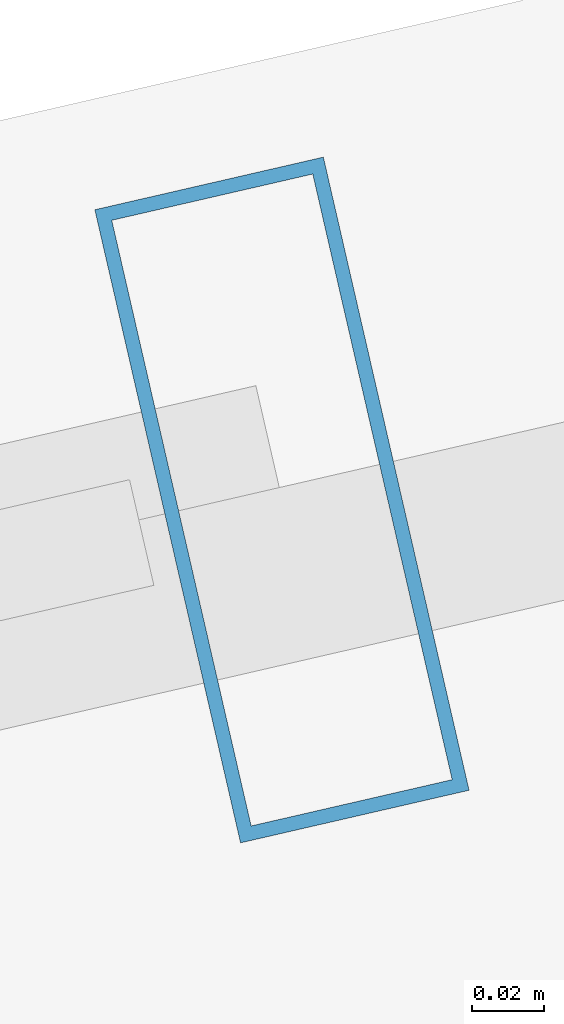
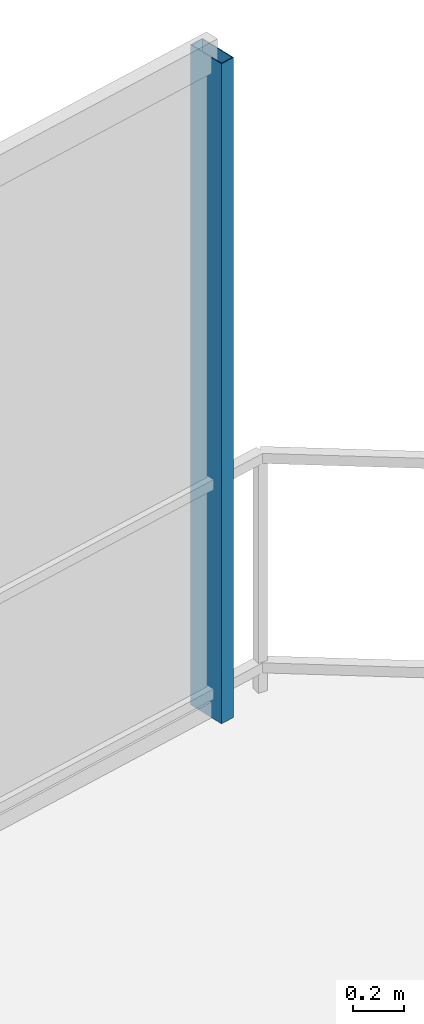
# One storey, part 17 of 23: 1 member, 1 element without a shape of its own.
"""IFC4 building model written with IfcOpenShell, lengths in metres."""

from ifc_helpers import new_model, si_unit, direction, frame, origin, origin_2d, place, context, subcontext, project, spatial, hollow_rectangle, extrude, material, layer, layer_set, material_profile, profile_set, type_object, element, aggregate, save


model = new_model("IFC4")

# Units and contexts
model_context = context("Model", 3, precision=1e-05, world=origin(), true_north=direction((0.0, 1.0)))
body_context = subcontext(model_context, "Body", "Model", "MODEL_VIEW")
ifc_project = project(units=[si_unit("LENGTHUNIT", "METRE"), si_unit("AREAUNIT", "SQUARE_METRE"), si_unit("VOLUMEUNIT", "CUBIC_METRE"), si_unit("PLANEANGLEUNIT", "RADIAN"), si_unit("MASSUNIT", "GRAM", prefix="KILO")], contexts=[model_context])

# Site, building, storey
site_placement = place(None, origin())
site = spatial("IfcSite", under=ifc_project, at=site_placement, CompositionType="ELEMENT")
building_placement = place(site_placement, origin())
building = spatial("IfcBuilding", under=site, at=building_placement, Name="Qarnah Convention Tower", CompositionType="ELEMENT")
storey_placement = place(building_placement, frame((0.0, 0.0, 114.300048828125)))
storey = spatial("IfcBuildingStorey", under=building, at=storey_placement, Name="L30", CompositionType="ELEMENT", Elevation=114.300048828125)

# Curtain wall, member
ifc_material_1 = material(Name="Tempered Low-E dark glass", Category="glass")
ifc_layer = layer(ifc_material_1, 0.169921875)
ifc_layer_set = layer_set([ifc_layer], Name="Tempered Low-E dark glass")
curtain_wall_type = type_object("IfcCurtainWallType", Name="CWS-02", PredefinedType="NOTDEFINED", material=ifc_layer_set)
curtain_wall_placement = place(storey_placement, origin())
curtain_wall = element("IfcCurtainWall", 1, at=curtain_wall_placement, inside=storey, type_object=curtain_wall_type, Name="L30 unitised curtain wall CW-L30-F3", PredefinedType="NOTDEFINED")
ifc_material_2 = material(Name="Black anodised aluminium", Category="aluminium")
ifc_material_profile = material_profile(ifc_material_2, hollow_rectangle(XDim=0.06494140625, YDim=0.179931640625, WallThickness=0.00390625, at=origin_2d()), Name="MUL-65X180")
ifc_profile_set = profile_set([ifc_material_profile], Name="Black anodised aluminium")
member_type = type_object("IfcMemberType", Name="MUL-T2", PredefinedType="MULLION", material=ifc_profile_set)
member_placement = place(storey_placement, frame((49.823974609375, 46.833984375, 0.0), z_axis=(0.0, 0.0, 1.0), x_axis=(0.974522187201, 0.224291120317, 0.0)))
member = element("IfcMember", 2, at=member_placement, type_object=member_type, Name="CW-L30-F3 mullion 6", PredefinedType="MULLION", context=body_context, shape_type="SweptSolid", body=[
    extrude(hollow_rectangle(XDim=0.06494140625, YDim=0.179931640625, WallThickness=0.00390625, at=origin_2d()), origin(), (0.0, 0.0, 1.0), 3.169921875),
])
aggregate(curtain_wall, [member])

save(model, "model.ifc")
